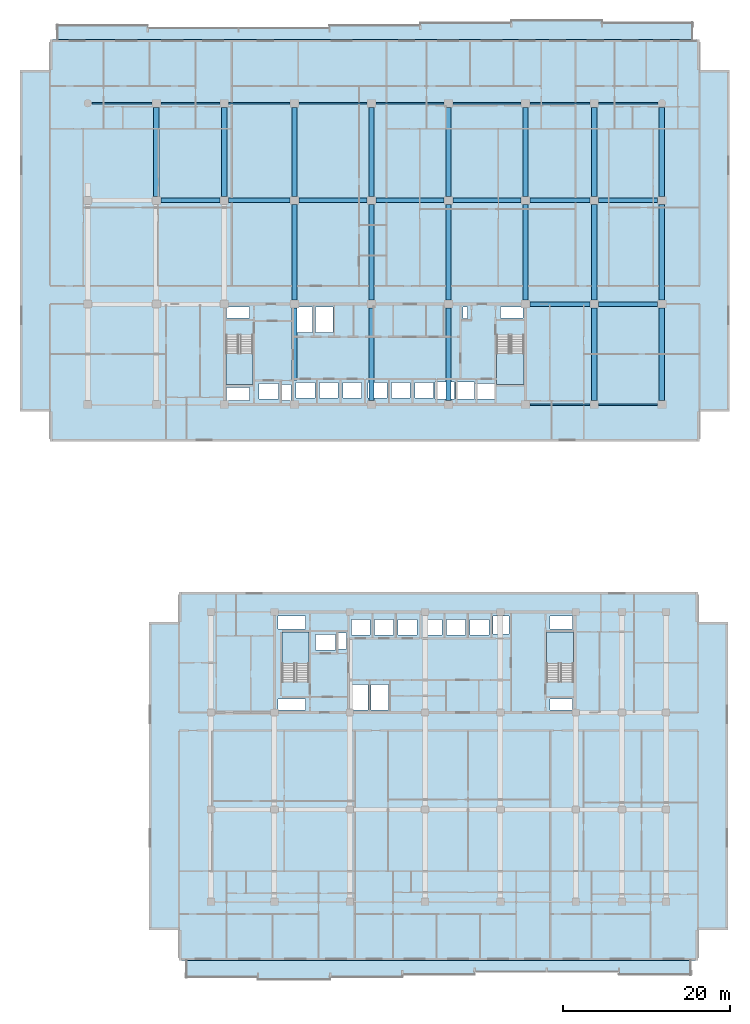
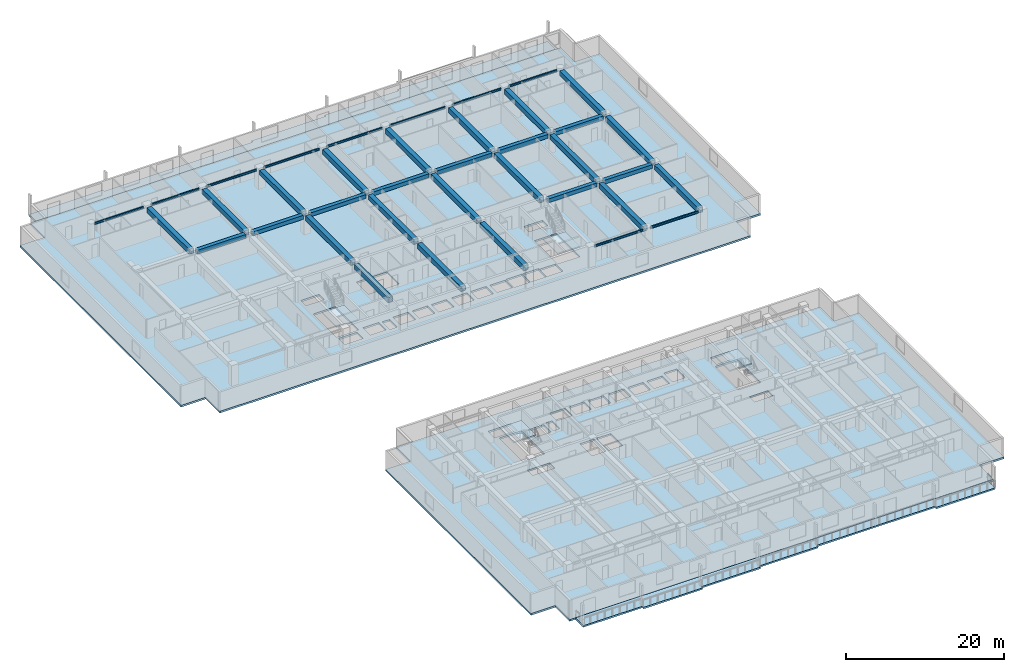
# One storey, part 2 of 23: 38 beams, 8 slabs, 4 elements without a shape of their own.
"""IFC4 building model written with IfcOpenShell, lengths in metres."""

from ifc_helpers import new_model, si_unit, direction, frame, origin, origin_2d, place, context, subcontext, project, spatial, polyline, rectangle, i_section, outline, extrude, material, layer, layer_set, material_profile, profile_set, type_object, element, aggregate, save


model = new_model("IFC4")

# Units and contexts
model_context = context("Model", 3, precision=1e-05, world=origin(), true_north=direction((0.0, 1.0)))
body_context = subcontext(model_context, "Body", "Model", "MODEL_VIEW")
ifc_project = project(units=[si_unit("LENGTHUNIT", "METRE"), si_unit("AREAUNIT", "SQUARE_METRE"), si_unit("VOLUMEUNIT", "CUBIC_METRE"), si_unit("PLANEANGLEUNIT", "RADIAN"), si_unit("MASSUNIT", "GRAM", prefix="KILO")], contexts=[model_context])

# Site, building, storey
site_placement = place(None, origin())
site = spatial("IfcSite", under=ifc_project, at=site_placement, CompositionType="ELEMENT")
building_placement = place(site_placement, origin())
building = spatial("IfcBuilding", under=site, at=building_placement, Name="Korimba Cascade Residences", CompositionType="ELEMENT")
storey_placement = place(building_placement, frame((0.0, 0.0, 59.75)))
storey = spatial("IfcBuildingStorey", under=building, at=storey_placement, Name="L16", CompositionType="ELEMENT", Elevation=59.75)

# Beams
ifc_material_1 = material(Name="Concrete C50/60", Category="concrete")
ifc_material_profile_1 = material_profile(ifc_material_1, rectangle(XDim=0.550048828125, YDim=0.60009765625, at=origin_2d()), Name="Concrete C50/60")
ifc_profile_set_1 = profile_set([ifc_material_profile_1], Name="Concrete C50/60")
beam_type_1 = type_object("IfcBeamType", Name="BM-RC-B600", PredefinedType="BEAM", material=ifc_profile_set_1)
beam_1_placement = place(storey_placement, frame((112.625, 67.199951171875, 2.669921875), z_axis=(1.0, 0.0, 0.0), x_axis=(0.0, 1.0, 0.0)))
element("IfcBeam", 1, at=beam_1_placement, inside=storey, type_object=beam_type_1, Name="L16 T1 E-W Girder Y2 Bay 7", PredefinedType="BEAM", context=body_context, shape_type="SweptSolid", body=[
    extrude(rectangle(XDim=0.550048828125, YDim=0.60009765625, at=origin_2d()), origin(), (0.0, 0.0, 1.0), 7.14990234375),
])
for number, where, z_axis, x_axis, name in (
    (2, (120.824951171875, 67.199951171875, 2.669921875), (1.0, 0.0, 0.0), (0.0, 1.0, 0.0), "L16 T1 E-W Girder Y2 Bay 8"),
    (3, (68.52490234375, 79.60009765625, 2.669921875), (1.0, 0.0, 0.0), (0.0, 1.0, 0.0), "L16 T1 E-W Girder Y3 Bay 2"),
):
    element("IfcBeam", number, at=place(storey_placement, frame(where, z_axis=z_axis, x_axis=x_axis)), inside=storey, type_object=beam_type_1, Name=name, PredefinedType="BEAM", context=body_context, shape_type="SweptSolid", body=[
        extrude(rectangle(XDim=0.550048828125, YDim=0.60009765625, at=origin_2d()), origin(), (0.0, 0.0, 1.0), 7.050048828125),
    ])
beam_2_placement = place(storey_placement, frame((76.625, 79.60009765625, 2.669921875), z_axis=(1.0, 0.0, 0.0), x_axis=(0.0, 1.0, 0.0)))
element("IfcBeam", 4, at=beam_2_placement, inside=storey, type_object=beam_type_1, Name="L16 T1 E-W Girder Y3 Bay 3", PredefinedType="BEAM", context=body_context, shape_type="SweptSolid", body=[
    extrude(rectangle(XDim=0.550048828125, YDim=0.60009765625, at=origin_2d()), origin(), (0.0, 0.0, 1.0), 7.35009765625),
])
beam_3_placement = place(storey_placement, frame((85.02490234375, 79.60009765625, 2.669921875), z_axis=(1.0, 0.0, 0.0), x_axis=(0.0, 1.0, 0.0)))
element("IfcBeam", 5, at=beam_3_placement, inside=storey, type_object=beam_type_1, Name="L16 T1 E-W Girder Y3 Bay 4", PredefinedType="BEAM", context=body_context, shape_type="SweptSolid", body=[
    extrude(rectangle(XDim=0.550048828125, YDim=0.60009765625, at=origin_2d()), origin(), (0.0, 0.0, 1.0), 8.150146484375),
])
for number, where, z_axis, x_axis, name in (
    (6, (94.22509765625, 79.60009765625, 2.669921875), (1.0, 0.0, 0.0), (0.0, 1.0, 0.0), "L16 T1 E-W Girder Y3 Bay 5"),
    (7, (103.425048828125, 79.60009765625, 2.669921875), (1.0, 0.0, 0.0), (0.0, 1.0, 0.0), "L16 T1 E-W Girder Y3 Bay 6"),
):
    element("IfcBeam", number, at=place(storey_placement, frame(where, z_axis=z_axis, x_axis=x_axis)), inside=storey, type_object=beam_type_1, Name=name, PredefinedType="BEAM", context=body_context, shape_type="SweptSolid", body=[
        extrude(rectangle(XDim=0.550048828125, YDim=0.60009765625, at=origin_2d()), origin(), (0.0, 0.0, 1.0), 8.14990234375),
    ])
beam_4_placement = place(storey_placement, frame((112.625, 79.60009765625, 2.669921875), z_axis=(1.0, 0.0, 0.0), x_axis=(0.0, 1.0, 0.0)))
element("IfcBeam", 8, at=beam_4_placement, inside=storey, type_object=beam_type_1, Name="L16 T1 E-W Girder Y3 Bay 7", PredefinedType="BEAM", context=body_context, shape_type="SweptSolid", body=[
    extrude(rectangle(XDim=0.550048828125, YDim=0.60009765625, at=origin_2d()), origin(), (0.0, 0.0, 1.0), 7.14990234375),
])
beam_5_placement = place(storey_placement, frame((120.824951171875, 79.60009765625, 2.669921875), z_axis=(1.0, 0.0, 0.0), x_axis=(0.0, 1.0, 0.0)))
element("IfcBeam", 9, at=beam_5_placement, inside=storey, type_object=beam_type_1, Name="L16 T1 E-W Girder Y3 Bay 8", PredefinedType="BEAM", context=body_context, shape_type="SweptSolid", body=[
    extrude(rectangle(XDim=0.550048828125, YDim=0.60009765625, at=origin_2d()), origin(), (0.0, 0.0, 1.0), 7.050048828125),
])
ifc_material_profile_2 = material_profile(ifc_material_1, rectangle(XDim=0.64990234375, YDim=0.75, at=origin_2d()), Name="Concrete C50/60")
ifc_profile_set_2 = profile_set([ifc_material_profile_2], Name="Concrete C50/60")
beam_type_2 = type_object("IfcBeamType", Name="BM-RC-G750", PredefinedType="BEAM", material=ifc_profile_set_2)
for number, where, z_axis, x_axis, name in (
    (10, (68.0, 80.074951171875, 2.594970703125), (0.0, 1.0, 0.0), (-1.0, 0.0, 0.0), "L16 T1 N-S Girder X2 Seg 3"),
    (11, (76.10009765625, 80.074951171875, 2.594970703125), (0.0, 1.0, 0.0), (-1.0, 0.0, 0.0), "L16 T1 N-S Girder X3 Seg 3"),
):
    element("IfcBeam", number, at=place(storey_placement, frame(where, z_axis=z_axis, x_axis=x_axis)), inside=storey, type_object=beam_type_2, Name=name, PredefinedType="BEAM", context=body_context, shape_type="SweptSolid", body=[
        extrude(rectangle(XDim=0.64990234375, YDim=0.75, at=origin_2d()), origin(), (0.0, 0.0, 1.0), 10.650146484375),
    ])
beam_6_placement = place(storey_placement, frame((84.5, 58.159912109375, 2.594970703125), z_axis=(0.0, 1.0, 0.0), x_axis=(-1.0, 0.0, 0.0)))
element("IfcBeam", 12, at=beam_6_placement, inside=storey, type_object=beam_type_2, Name="L16 T1 N-S Girder X4 Seg 1", PredefinedType="BEAM", context=body_context, shape_type="SweptSolid", body=[
    extrude(rectangle(XDim=0.64990234375, YDim=0.75, at=origin_2d()), origin(), (0.0, 0.0, 1.0), 8.565185546875),
])
beam_7_placement = place(storey_placement, frame((84.5, 67.675048828125, 2.594970703125), z_axis=(0.0, 1.0, 0.0), x_axis=(-1.0, 0.0, 0.0)))
element("IfcBeam", 13, at=beam_7_placement, inside=storey, type_object=beam_type_2, Name="L16 T1 N-S Girder X4 Seg 2", PredefinedType="BEAM", context=body_context, shape_type="SweptSolid", body=[
    extrude(rectangle(XDim=0.64990234375, YDim=0.75, at=origin_2d()), origin(), (0.0, 0.0, 1.0), 11.449951171875),
])
beam_8_placement = place(storey_placement, frame((84.5, 80.074951171875, 2.594970703125), z_axis=(0.0, 1.0, 0.0), x_axis=(-1.0, 0.0, 0.0)))
element("IfcBeam", 14, at=beam_8_placement, inside=storey, type_object=beam_type_2, Name="L16 T1 N-S Girder X4 Seg 3", PredefinedType="BEAM", context=body_context, shape_type="SweptSolid", body=[
    extrude(rectangle(XDim=0.64990234375, YDim=0.75, at=origin_2d()), origin(), (0.0, 0.0, 1.0), 10.650146484375),
])
beam_9_placement = place(storey_placement, frame((93.699951171875, 55.675048828125, 2.594970703125), z_axis=(0.0, 1.0, 0.0), x_axis=(-1.0, 0.0, 0.0)))
element("IfcBeam", 15, at=beam_9_placement, inside=storey, type_object=beam_type_2, Name="L16 T1 N-S Girder X5 Seg 1", PredefinedType="BEAM", context=body_context, shape_type="SweptSolid", body=[
    extrude(rectangle(XDim=0.64990234375, YDim=0.75, at=origin_2d()), origin(), (0.0, 0.0, 1.0), 11.050048828125),
])
beam_10_placement = place(storey_placement, frame((93.699951171875, 67.675048828125, 2.594970703125), z_axis=(0.0, 1.0, 0.0), x_axis=(-1.0, 0.0, 0.0)))
element("IfcBeam", 16, at=beam_10_placement, inside=storey, type_object=beam_type_2, Name="L16 T1 N-S Girder X5 Seg 2", PredefinedType="BEAM", context=body_context, shape_type="SweptSolid", body=[
    extrude(rectangle(XDim=0.64990234375, YDim=0.75, at=origin_2d()), origin(), (0.0, 0.0, 1.0), 11.449951171875),
])
beam_11_placement = place(storey_placement, frame((93.699951171875, 80.074951171875, 2.594970703125), z_axis=(0.0, 1.0, 0.0), x_axis=(-1.0, 0.0, 0.0)))
element("IfcBeam", 17, at=beam_11_placement, inside=storey, type_object=beam_type_2, Name="L16 T1 N-S Girder X5 Seg 3", PredefinedType="BEAM", context=body_context, shape_type="SweptSolid", body=[
    extrude(rectangle(XDim=0.64990234375, YDim=0.75, at=origin_2d()), origin(), (0.0, 0.0, 1.0), 10.650146484375),
])
beam_12_placement = place(storey_placement, frame((102.89990234375, 55.675048828125, 2.594970703125), z_axis=(0.0, 1.0, 0.0), x_axis=(-1.0, 0.0, 0.0)))
element("IfcBeam", 18, at=beam_12_placement, inside=storey, type_object=beam_type_2, Name="L16 T1 N-S Girder X6 Seg 1", PredefinedType="BEAM", context=body_context, shape_type="SweptSolid", body=[
    extrude(rectangle(XDim=0.64990234375, YDim=0.75, at=origin_2d()), origin(), (0.0, 0.0, 1.0), 11.050048828125),
])
beam_13_placement = place(storey_placement, frame((102.89990234375, 67.675048828125, 2.594970703125), z_axis=(0.0, 1.0, 0.0), x_axis=(-1.0, 0.0, 0.0)))
element("IfcBeam", 19, at=beam_13_placement, inside=storey, type_object=beam_type_2, Name="L16 T1 N-S Girder X6 Seg 2", PredefinedType="BEAM", context=body_context, shape_type="SweptSolid", body=[
    extrude(rectangle(XDim=0.64990234375, YDim=0.75, at=origin_2d()), origin(), (0.0, 0.0, 1.0), 11.449951171875),
])
beam_14_placement = place(storey_placement, frame((102.89990234375, 80.074951171875, 2.594970703125), z_axis=(0.0, 1.0, 0.0), x_axis=(-1.0, 0.0, 0.0)))
element("IfcBeam", 20, at=beam_14_placement, inside=storey, type_object=beam_type_2, Name="L16 T1 N-S Girder X6 Seg 3", PredefinedType="BEAM", context=body_context, shape_type="SweptSolid", body=[
    extrude(rectangle(XDim=0.64990234375, YDim=0.75, at=origin_2d()), origin(), (0.0, 0.0, 1.0), 10.650146484375),
])
beam_15_placement = place(storey_placement, frame((112.10009765625, 67.675048828125, 2.594970703125), z_axis=(0.0, 1.0, 0.0), x_axis=(-1.0, 0.0, 0.0)))
element("IfcBeam", 21, at=beam_15_placement, inside=storey, type_object=beam_type_2, Name="L16 T1 N-S Girder X7 Seg 2", PredefinedType="BEAM", context=body_context, shape_type="SweptSolid", body=[
    extrude(rectangle(XDim=0.64990234375, YDim=0.75, at=origin_2d()), origin(), (0.0, 0.0, 1.0), 11.449951171875),
])
beam_16_placement = place(storey_placement, frame((112.10009765625, 80.074951171875, 2.594970703125), z_axis=(0.0, 1.0, 0.0), x_axis=(-1.0, 0.0, 0.0)))
element("IfcBeam", 22, at=beam_16_placement, inside=storey, type_object=beam_type_2, Name="L16 T1 N-S Girder X7 Seg 3", PredefinedType="BEAM", context=body_context, shape_type="SweptSolid", body=[
    extrude(rectangle(XDim=0.64990234375, YDim=0.75, at=origin_2d()), origin(), (0.0, 0.0, 1.0), 10.650146484375),
])
beam_17_placement = place(storey_placement, frame((120.300048828125, 55.675048828125, 2.594970703125), z_axis=(0.0, 1.0, 0.0), x_axis=(-1.0, 0.0, 0.0)))
element("IfcBeam", 23, at=beam_17_placement, inside=storey, type_object=beam_type_2, Name="L16 T1 N-S Girder X8 Seg 1", PredefinedType="BEAM", context=body_context, shape_type="SweptSolid", body=[
    extrude(rectangle(XDim=0.64990234375, YDim=0.75, at=origin_2d()), origin(), (0.0, 0.0, 1.0), 11.050048828125),
])
beam_18_placement = place(storey_placement, frame((120.300048828125, 67.675048828125, 2.594970703125), z_axis=(0.0, 1.0, 0.0), x_axis=(-1.0, 0.0, 0.0)))
element("IfcBeam", 24, at=beam_18_placement, inside=storey, type_object=beam_type_2, Name="L16 T1 N-S Girder X8 Seg 2", PredefinedType="BEAM", context=body_context, shape_type="SweptSolid", body=[
    extrude(rectangle(XDim=0.64990234375, YDim=0.75, at=origin_2d()), origin(), (0.0, 0.0, 1.0), 11.449951171875),
])
beam_19_placement = place(storey_placement, frame((120.300048828125, 80.074951171875, 2.594970703125), z_axis=(0.0, 1.0, 0.0), x_axis=(-1.0, 0.0, 0.0)))
element("IfcBeam", 25, at=beam_19_placement, inside=storey, type_object=beam_type_2, Name="L16 T1 N-S Girder X8 Seg 3", PredefinedType="BEAM", context=body_context, shape_type="SweptSolid", body=[
    extrude(rectangle(XDim=0.64990234375, YDim=0.75, at=origin_2d()), origin(), (0.0, 0.0, 1.0), 10.650146484375),
])
beam_20_placement = place(storey_placement, frame((128.39990234375, 55.675048828125, 2.594970703125), z_axis=(0.0, 1.0, 0.0), x_axis=(-1.0, 0.0, 0.0)))
element("IfcBeam", 26, at=beam_20_placement, inside=storey, type_object=beam_type_2, Name="L16 T1 N-S Girder X9 Seg 1", PredefinedType="BEAM", context=body_context, shape_type="SweptSolid", body=[
    extrude(rectangle(XDim=0.64990234375, YDim=0.75, at=origin_2d()), origin(), (0.0, 0.0, 1.0), 11.050048828125),
])
beam_21_placement = place(storey_placement, frame((128.39990234375, 67.675048828125, 2.594970703125), z_axis=(0.0, 1.0, 0.0), x_axis=(-1.0, 0.0, 0.0)))
element("IfcBeam", 27, at=beam_21_placement, inside=storey, type_object=beam_type_2, Name="L16 T1 N-S Girder X9 Seg 2", PredefinedType="BEAM", context=body_context, shape_type="SweptSolid", body=[
    extrude(rectangle(XDim=0.64990234375, YDim=0.75, at=origin_2d()), origin(), (0.0, 0.0, 1.0), 11.449951171875),
])
beam_22_placement = place(storey_placement, frame((128.39990234375, 80.074951171875, 2.594970703125), z_axis=(0.0, 1.0, 0.0), x_axis=(-1.0, 0.0, 0.0)))
element("IfcBeam", 28, at=beam_22_placement, inside=storey, type_object=beam_type_2, Name="L16 T1 N-S Girder X9 Seg 3", PredefinedType="BEAM", context=body_context, shape_type="SweptSolid", body=[
    extrude(rectangle(XDim=0.64990234375, YDim=0.75, at=origin_2d()), origin(), (0.0, 0.0, 1.0), 10.650146484375),
])
ifc_material_2 = material(Name="Steel S355", Category="steel")
ifc_material_profile_3 = material_profile(ifc_material_2, i_section(OverallWidth=0.165771484375, OverallDepth=0.306640625, WebThickness=0.006591796875, FlangeThickness=0.01171875, FilletRadius=0.0087890625, at=origin_2d()), Name="Steel S355")
ifc_profile_set_3 = profile_set([ifc_material_profile_3], Name="Steel S355")
beam_type_3 = type_object("IfcBeamType", Name="BM-STL-UB305", PredefinedType="SPANDREL", material=ifc_profile_set_3)
beam_23_placement = place(storey_placement, frame((112.625, 55.199951171875, 2.816650390625), z_axis=(1.0, 0.0, 0.0), x_axis=(0.0, 1.0, 0.0)))
element("IfcBeam", 29, at=beam_23_placement, inside=storey, type_object=beam_type_3, Name="L16 T1 E-W Girder Y1 Bay 7", PredefinedType="SPANDREL", context=body_context, shape_type="SweptSolid", body=[
    extrude(i_section(OverallWidth=0.165771484375, OverallDepth=0.306640625, WebThickness=0.006591796875, FlangeThickness=0.01171875, FilletRadius=0.0087890625, at=origin_2d()), origin(), (0.0, 0.0, 1.0), 7.14990234375),
])
beam_24_placement = place(storey_placement, frame((120.824951171875, 55.199951171875, 2.816650390625), z_axis=(1.0, 0.0, 0.0), x_axis=(0.0, 1.0, 0.0)))
element("IfcBeam", 30, at=beam_24_placement, inside=storey, type_object=beam_type_3, Name="L16 T1 E-W Girder Y1 Bay 8", PredefinedType="SPANDREL", context=body_context, shape_type="SweptSolid", body=[
    extrude(i_section(OverallWidth=0.165771484375, OverallDepth=0.306640625, WebThickness=0.006591796875, FlangeThickness=0.01171875, FilletRadius=0.0087890625, at=origin_2d()), origin(), (0.0, 0.0, 1.0), 7.050048828125),
])
beam_25_placement = place(storey_placement, frame((60.27490234375, 91.199951171875, 2.816650390625), z_axis=(1.0, 0.0, 0.0), x_axis=(0.0, 1.0, 0.0)))
element("IfcBeam", 31, at=beam_25_placement, inside=storey, type_object=beam_type_3, Name="L16 T1 E-W Girder Y4 Bay 1", PredefinedType="SPANDREL", context=body_context, shape_type="SweptSolid", body=[
    extrude(i_section(OverallWidth=0.165771484375, OverallDepth=0.306640625, WebThickness=0.006591796875, FlangeThickness=0.01171875, FilletRadius=0.0087890625, at=origin_2d()), origin(), (0.0, 0.0, 1.0), 7.2001953125),
])
beam_26_placement = place(storey_placement, frame((68.52490234375, 91.199951171875, 2.816650390625), z_axis=(1.0, 0.0, 0.0), x_axis=(0.0, 1.0, 0.0)))
element("IfcBeam", 32, at=beam_26_placement, inside=storey, type_object=beam_type_3, Name="L16 T1 E-W Girder Y4 Bay 2", PredefinedType="SPANDREL", context=body_context, shape_type="SweptSolid", body=[
    extrude(i_section(OverallWidth=0.165771484375, OverallDepth=0.306640625, WebThickness=0.006591796875, FlangeThickness=0.01171875, FilletRadius=0.0087890625, at=origin_2d()), origin(), (0.0, 0.0, 1.0), 7.050048828125),
])
beam_27_placement = place(storey_placement, frame((76.625, 91.199951171875, 2.816650390625), z_axis=(1.0, 0.0, 0.0), x_axis=(0.0, 1.0, 0.0)))
element("IfcBeam", 33, at=beam_27_placement, inside=storey, type_object=beam_type_3, Name="L16 T1 E-W Girder Y4 Bay 3", PredefinedType="SPANDREL", context=body_context, shape_type="SweptSolid", body=[
    extrude(i_section(OverallWidth=0.165771484375, OverallDepth=0.306640625, WebThickness=0.006591796875, FlangeThickness=0.01171875, FilletRadius=0.0087890625, at=origin_2d()), origin(), (0.0, 0.0, 1.0), 7.35009765625),
])
beam_28_placement = place(storey_placement, frame((85.02490234375, 91.199951171875, 2.816650390625), z_axis=(1.0, 0.0, 0.0), x_axis=(0.0, 1.0, 0.0)))
element("IfcBeam", 34, at=beam_28_placement, inside=storey, type_object=beam_type_3, Name="L16 T1 E-W Girder Y4 Bay 4", PredefinedType="SPANDREL", context=body_context, shape_type="SweptSolid", body=[
    extrude(i_section(OverallWidth=0.165771484375, OverallDepth=0.306640625, WebThickness=0.006591796875, FlangeThickness=0.01171875, FilletRadius=0.0087890625, at=origin_2d()), origin(), (0.0, 0.0, 1.0), 8.150146484375),
])
for number, where, z_axis, x_axis, name in (
    (35, (94.22509765625, 91.199951171875, 2.816650390625), (1.0, 0.0, 0.0), (0.0, 1.0, 0.0), "L16 T1 E-W Girder Y4 Bay 5"),
    (36, (103.425048828125, 91.199951171875, 2.816650390625), (1.0, 0.0, 0.0), (0.0, 1.0, 0.0), "L16 T1 E-W Girder Y4 Bay 6"),
):
    element("IfcBeam", number, at=place(storey_placement, frame(where, z_axis=z_axis, x_axis=x_axis)), inside=storey, type_object=beam_type_3, Name=name, PredefinedType="SPANDREL", context=body_context, shape_type="SweptSolid", body=[
        extrude(i_section(OverallWidth=0.165771484375, OverallDepth=0.306640625, WebThickness=0.006591796875, FlangeThickness=0.01171875, FilletRadius=0.0087890625, at=origin_2d()), origin(), (0.0, 0.0, 1.0), 8.14990234375),
    ])
beam_29_placement = place(storey_placement, frame((112.625, 91.199951171875, 2.816650390625), z_axis=(1.0, 0.0, 0.0), x_axis=(0.0, 1.0, 0.0)))
element("IfcBeam", 37, at=beam_29_placement, inside=storey, type_object=beam_type_3, Name="L16 T1 E-W Girder Y4 Bay 7", PredefinedType="SPANDREL", context=body_context, shape_type="SweptSolid", body=[
    extrude(i_section(OverallWidth=0.165771484375, OverallDepth=0.306640625, WebThickness=0.006591796875, FlangeThickness=0.01171875, FilletRadius=0.0087890625, at=origin_2d()), origin(), (0.0, 0.0, 1.0), 7.14990234375),
])
beam_30_placement = place(storey_placement, frame((120.824951171875, 91.199951171875, 2.816650390625), z_axis=(1.0, 0.0, 0.0), x_axis=(0.0, 1.0, 0.0)))
element("IfcBeam", 38, at=beam_30_placement, inside=storey, type_object=beam_type_3, Name="L16 T1 E-W Girder Y4 Bay 8", PredefinedType="SPANDREL", context=body_context, shape_type="SweptSolid", body=[
    extrude(i_section(OverallWidth=0.165771484375, OverallDepth=0.306640625, WebThickness=0.006591796875, FlangeThickness=0.01171875, FilletRadius=0.0087890625, at=origin_2d()), origin(), (0.0, 0.0, 1.0), 7.10009765625),
])

# Stair, slab
stair_type_1 = type_object("IfcStairType", Name="STR-W1-18R-1806", PredefinedType="HALF_TURN_STAIR", material=ifc_material_1)
stair_1_placement = place(storey_placement, origin())
stair_1 = element("IfcStair", 39, at=stair_1_placement, inside=storey, type_object=stair_type_1, Name="L16 Tower 1 West Fire Stair ST-W1", PredefinedType="HALF_TURN_STAIR")
ifc_layer_1 = layer(ifc_material_1, 0.199951171875)
ifc_layer_set_1 = layer_set([ifc_layer_1], Name="Concrete C50/60")
slab_type_1 = type_object("IfcSlabType", Name="SLB-LND-220", PredefinedType="LANDING", material=ifc_layer_set_1)
slab_1_placement = place(storey_placement, frame((0.0, 0.0, 1.425048828125)))
slab_1 = element("IfcSlab", 40, at=slab_1_placement, type_object=slab_type_1, Name="ST-W1 landing 1", PredefinedType="LANDING", context=body_context, shape_type="SweptSolid", body=[
    extrude(outline(polyline([(76.300048828125, 61.31005859375), (76.300048828125, 57.60009765625), (79.5400390625, 57.60009765625), (79.5400390625, 61.31005859375), (76.300048828125, 61.31005859375)])), origin(), (0.0, 0.0, 1.0), 0.199951171875),
])
aggregate(stair_1, [slab_1])

stair_type_2 = type_object("IfcStairType", Name="STR-W2-18R-1806", PredefinedType="HALF_TURN_STAIR", material=ifc_material_1)
stair_2_placement = place(storey_placement, origin())
stair_2 = element("IfcStair", 41, at=stair_2_placement, inside=storey, type_object=stair_type_2, Name="L16 Tower 1 East Fire Stair ST-W2", PredefinedType="HALF_TURN_STAIR")
slab_2_placement = place(storey_placement, frame((0.0, 0.0, 1.425048828125)))
slab_2 = element("IfcSlab", 42, at=slab_2_placement, type_object=slab_type_1, Name="ST-W2 landing 1", PredefinedType="LANDING", context=body_context, shape_type="SweptSolid", body=[
    extrude(outline(polyline([(108.659912109375, 61.31005859375), (108.659912109375, 57.60009765625), (111.89990234375, 57.60009765625), (111.89990234375, 61.31005859375), (108.659912109375, 61.31005859375)])), origin(), (0.0, 0.0, 1.0), 0.199951171875),
])
aggregate(stair_2, [slab_2])

stair_type_3 = type_object("IfcStairType", Name="STR-E1-18R-1806", PredefinedType="HALF_TURN_STAIR", material=ifc_material_1)
stair_3_placement = place(storey_placement, origin())
stair_3 = element("IfcStair", 43, at=stair_3_placement, inside=storey, type_object=stair_type_3, Name="L16 Tower 2 West Fire Stair ST-E1", PredefinedType="HALF_TURN_STAIR")
slab_3_placement = place(storey_placement, frame((0.0, 0.0, 1.425048828125)))
slab_3 = element("IfcSlab", 44, at=slab_3_placement, type_object=slab_type_1, Name="ST-E1 landing 1", PredefinedType="LANDING", context=body_context, shape_type="SweptSolid", body=[
    extrude(outline(polyline([(86.239990234375, 24.2900390625), (86.239990234375, 28.0), (83.0, 28.0), (83.0, 24.2900390625), (86.239990234375, 24.2900390625)])), origin(), (0.0, 0.0, 1.0), 0.199951171875),
])
aggregate(stair_3, [slab_3])

stair_type_4 = type_object("IfcStairType", Name="STR-E2-18R-1806", PredefinedType="HALF_TURN_STAIR", material=ifc_material_1)
stair_4_placement = place(storey_placement, origin())
stair_4 = element("IfcStair", 45, at=stair_4_placement, inside=storey, type_object=stair_type_4, Name="L16 Tower 2 East Fire Stair ST-E2", PredefinedType="HALF_TURN_STAIR")
slab_4_placement = place(storey_placement, frame((0.0, 0.0, 1.425048828125)))
slab_4 = element("IfcSlab", 46, at=slab_4_placement, type_object=slab_type_1, Name="ST-E2 landing 1", PredefinedType="LANDING", context=body_context, shape_type="SweptSolid", body=[
    extrude(outline(polyline([(117.840087890625, 24.2900390625), (117.840087890625, 28.0), (114.60009765625, 28.0), (114.60009765625, 24.2900390625), (117.840087890625, 24.2900390625)])), origin(), (0.0, 0.0, 1.0), 0.199951171875),
])
aggregate(stair_4, [slab_4])

# Slabs
ifc_material_3 = material(Name="Precast concrete C40/50", Category="concrete")
ifc_layer_2 = layer(ifc_material_3, 0.239990234375)
ifc_layer_set_2 = layer_set([ifc_layer_2], Name="Precast concrete C40/50")
slab_type_2 = type_object("IfcSlabType", Name="SLB-LOG-240", PredefinedType="FLOOR", material=ifc_layer_set_2)
slab_5_placement = place(storey_placement, frame((0.0, 0.0, -0.239990234375)))
element("IfcSlab", 47, at=slab_5_placement, inside=storey, type_object=slab_type_2, Name="L16 Tower 1 North Loggia Slab", PredefinedType="FLOOR", context=body_context, shape_type="SweptSolid", body=[
    extrude(outline(polyline([(56.10009765625, 98.800048828125), (132.10009765625, 98.800048828125), (132.10009765625, 100.85009765625), (121.242919921875, 100.85009765625), (121.242919921875, 101.14990234375), (110.3857421875, 101.14990234375), (110.3857421875, 100.85009765625), (99.528564453125, 100.85009765625), (99.528564453125, 100.550048828125), (88.67138671875, 100.550048828125), (88.67138671875, 100.25), (66.95703125, 100.25), (66.95703125, 100.550048828125), (56.10009765625, 100.550048828125), (56.10009765625, 98.800048828125)])), origin(), (0.0, 0.0, 1.0), 0.239990234375),
])
slab_6_placement = place(storey_placement, frame((0.0, 0.0, -0.239990234375)))
element("IfcSlab", 48, at=slab_6_placement, inside=storey, type_object=slab_type_2, Name="L16 Tower 2 South Loggia Slab", PredefinedType="FLOOR", context=body_context, shape_type="SweptSolid", body=[
    extrude(outline(polyline([(71.5, -13.25), (80.128662109375, -13.25), (80.128662109375, -13.550048828125), (88.757080078125, -13.550048828125), (88.757080078125, -13.25), (97.3857421875, -13.25), (97.3857421875, -12.949951171875), (106.014404296875, -12.949951171875), (106.014404296875, -12.64990234375), (123.271484375, -12.64990234375), (123.271484375, -12.949951171875), (131.89990234375, -12.949951171875), (131.89990234375, -11.199951171875), (71.5, -11.199951171875), (71.5, -13.25)])), origin(), (0.0, 0.0, 1.0), 0.239990234375),
])
ifc_layer_3 = layer(ifc_material_1, 0.280029296875)
ifc_layer_set_3 = layer_set([ifc_layer_3], Name="Concrete C50/60")
slab_type_3 = type_object("IfcSlabType", Name="SLB-TYP-280", PredefinedType="FLOOR", material=ifc_layer_set_3)
slab_7_placement = place(storey_placement, frame((0.0, 0.0, -0.280029296875)))
element("IfcSlab", 49, at=slab_7_placement, inside=storey, type_object=slab_type_3, Name="L16 Tower 1 Floor Slab", PredefinedType="FLOOR", context=body_context, shape_type="SweptSolid", body=[
    extrude(outline(polyline([(55.300048828125, 50.800048828125), (132.89990234375, 50.800048828125), (132.89990234375, 54.39990234375), (136.5, 54.39990234375), (136.5, 95.199951171875), (132.89990234375, 95.199951171875), (132.89990234375, 98.800048828125), (55.300048828125, 98.800048828125), (55.300048828125, 95.199951171875), (51.699951171875, 95.199951171875), (51.699951171875, 54.39990234375), (55.300048828125, 54.39990234375), (55.300048828125, 50.800048828125)]), holes=[polyline([(76.300048828125, 63.514892578125), (76.300048828125, 57.60009765625), (79.5400390625, 57.60009765625), (79.5400390625, 63.514892578125), (76.300048828125, 63.514892578125)]), polyline([(108.659912109375, 63.514892578125), (108.659912109375, 57.60009765625), (111.89990234375, 57.60009765625), (111.89990234375, 63.514892578125), (108.659912109375, 63.514892578125)]), polyline([(80.22998046875, 55.8798828125), (82.570068359375, 55.8798828125), (82.570068359375, 57.719970703125), (80.22998046875, 57.719970703125), (80.22998046875, 55.8798828125)]), polyline([(106.080078125, 55.8798828125), (108.419921875, 55.8798828125), (108.419921875, 57.719970703125), (106.080078125, 57.719970703125), (106.080078125, 55.8798828125)]), polyline([(84.679931640625, 55.97998046875), (86.919921875, 55.97998046875), (86.919921875, 57.820068359375), (84.679931640625, 57.820068359375), (84.679931640625, 55.97998046875)]), polyline([(87.47998046875, 55.97998046875), (89.719970703125, 55.97998046875), (89.719970703125, 57.820068359375), (87.47998046875, 57.820068359375), (87.47998046875, 55.97998046875)]), polyline([(90.280029296875, 55.97998046875), (92.52001953125, 55.97998046875), (92.52001953125, 57.820068359375), (90.280029296875, 57.820068359375), (90.280029296875, 55.97998046875)]), polyline([(93.280029296875, 55.97998046875), (95.52001953125, 55.97998046875), (95.52001953125, 57.820068359375), (93.280029296875, 57.820068359375), (93.280029296875, 55.97998046875)]), polyline([(96.080078125, 55.97998046875), (98.320068359375, 55.97998046875), (98.320068359375, 57.820068359375), (96.080078125, 57.820068359375), (96.080078125, 55.97998046875)]), polyline([(98.8798828125, 55.97998046875), (101.1201171875, 55.97998046875), (101.1201171875, 57.820068359375), (98.8798828125, 57.820068359375), (98.8798828125, 55.97998046875)]), polyline([(101.304931640625, 55.8798828125), (103.594970703125, 55.8798828125), (103.594970703125, 57.919921875), (101.304931640625, 57.919921875), (101.304931640625, 55.8798828125)]), polyline([(103.705078125, 55.8798828125), (105.9951171875, 55.8798828125), (105.9951171875, 57.919921875), (103.705078125, 57.919921875), (103.705078125, 55.8798828125)]), polyline([(82.97998046875, 55.679931640625), (84.080078125, 55.679931640625), (84.080078125, 57.6201171875), (82.97998046875, 57.6201171875), (82.97998046875, 55.679931640625)]), polyline([(76.39990234375, 65.56005859375), (79.10009765625, 65.56005859375), (79.10009765625, 66.8798828125), (76.39990234375, 66.8798828125), (76.39990234375, 65.56005859375)]), polyline([(76.39990234375, 55.679931640625), (79.10009765625, 55.679931640625), (79.10009765625, 57.239990234375), (76.39990234375, 57.239990234375), (76.39990234375, 55.679931640625)]), polyline([(84.530029296875, 63.820068359375), (86.6201171875, 63.820068359375), (86.6201171875, 66.8798828125), (84.530029296875, 66.8798828125), (84.530029296875, 63.820068359375)]), polyline([(86.97998046875, 63.820068359375), (89.070068359375, 63.820068359375), (89.070068359375, 66.8798828125), (86.97998046875, 66.8798828125), (86.97998046875, 63.820068359375)]), polyline([(104.6201171875, 65.4599609375), (105.179931640625, 65.4599609375), (105.179931640625, 66.8798828125), (104.6201171875, 66.8798828125), (104.6201171875, 65.4599609375)]), polyline([(109.080078125, 65.56005859375), (111.800048828125, 65.56005859375), (111.800048828125, 66.8798828125), (109.080078125, 66.8798828125), (109.080078125, 65.56005859375)])]), origin(), (0.0, 0.0, 1.0), 0.280029296875),
])
slab_8_placement = place(storey_placement, frame((0.0, 0.0, -0.280029296875)))
element("IfcSlab", 50, at=slab_8_placement, inside=storey, type_object=slab_type_3, Name="L16 Tower 2 Floor Slab", PredefinedType="FLOOR", context=body_context, shape_type="SweptSolid", body=[
    extrude(outline(polyline([(70.699951171875, -11.199951171875), (132.699951171875, -11.199951171875), (132.699951171875, -7.60009765625), (136.300048828125, -7.60009765625), (136.300048828125, 29.199951171875), (132.699951171875, 29.199951171875), (132.699951171875, 32.800048828125), (70.699951171875, 32.800048828125), (70.699951171875, 29.199951171875), (67.10009765625, 29.199951171875), (67.10009765625, -7.60009765625), (70.699951171875, -7.60009765625), (70.699951171875, -11.199951171875)]), holes=[polyline([(86.239990234375, 22.0849609375), (86.239990234375, 28.0), (83.0, 28.0), (83.0, 22.0849609375), (86.239990234375, 22.0849609375)]), polyline([(117.840087890625, 22.0849609375), (117.840087890625, 28.0), (114.60009765625, 28.0), (114.60009765625, 22.0849609375), (117.840087890625, 22.0849609375)]), polyline([(87.030029296875, 25.8798828125), (89.3701171875, 25.8798828125), (89.3701171875, 27.719970703125), (87.030029296875, 27.719970703125), (87.030029296875, 25.8798828125)]), polyline([(91.280029296875, 27.679931640625), (93.52001953125, 27.679931640625), (93.52001953125, 29.52001953125), (91.280029296875, 29.52001953125), (91.280029296875, 27.679931640625)]), polyline([(94.080078125, 27.679931640625), (96.320068359375, 27.679931640625), (96.320068359375, 29.52001953125), (94.080078125, 29.52001953125), (94.080078125, 27.679931640625)]), polyline([(96.8798828125, 27.679931640625), (99.1201171875, 27.679931640625), (99.1201171875, 29.52001953125), (96.8798828125, 29.52001953125), (96.8798828125, 27.679931640625)]), polyline([(99.8798828125, 27.679931640625), (102.1201171875, 27.679931640625), (102.1201171875, 29.52001953125), (99.8798828125, 29.52001953125), (99.8798828125, 27.679931640625)]), polyline([(102.679931640625, 27.679931640625), (104.919921875, 27.679931640625), (104.919921875, 29.52001953125), (102.679931640625, 29.52001953125), (102.679931640625, 27.679931640625)]), polyline([(105.47998046875, 27.679931640625), (107.719970703125, 27.679931640625), (107.719970703125, 29.52001953125), (105.47998046875, 29.52001953125), (105.47998046875, 27.679931640625)]), polyline([(89.780029296875, 25.97998046875), (90.719970703125, 25.97998046875), (90.719970703125, 27.919921875), (89.780029296875, 27.919921875), (89.780029296875, 25.97998046875)]), polyline([(82.530029296875, 18.72998046875), (85.800048828125, 18.72998046875), (85.800048828125, 20.0400390625), (82.530029296875, 20.0400390625), (82.530029296875, 18.72998046875)]), polyline([(82.530029296875, 28.360107421875), (85.800048828125, 28.360107421875), (85.800048828125, 29.969970703125), (82.530029296875, 29.969970703125), (82.530029296875, 28.360107421875)]), polyline([(108.22998046875, 27.780029296875), (110.1201171875, 27.780029296875), (110.1201171875, 29.969970703125), (108.22998046875, 29.969970703125), (108.22998046875, 27.780029296875)]), polyline([(91.22998046875, 18.72998046875), (93.27001953125, 18.72998046875), (93.27001953125, 21.780029296875), (91.22998046875, 21.780029296875), (91.22998046875, 18.72998046875)]), polyline([(93.6298828125, 18.72998046875), (95.719970703125, 18.72998046875), (95.719970703125, 21.780029296875), (93.6298828125, 21.780029296875), (93.6298828125, 18.72998046875)]), polyline([(115.02001953125, 18.72998046875), (117.739990234375, 18.72998046875), (117.739990234375, 20.0400390625), (115.02001953125, 20.0400390625), (115.02001953125, 18.72998046875)]), polyline([(115.02001953125, 28.360107421875), (117.739990234375, 28.360107421875), (117.739990234375, 29.969970703125), (115.02001953125, 29.969970703125), (115.02001953125, 28.360107421875)])]), origin(), (0.0, 0.0, 1.0), 0.280029296875),
])

save(model, "model.ifc")
